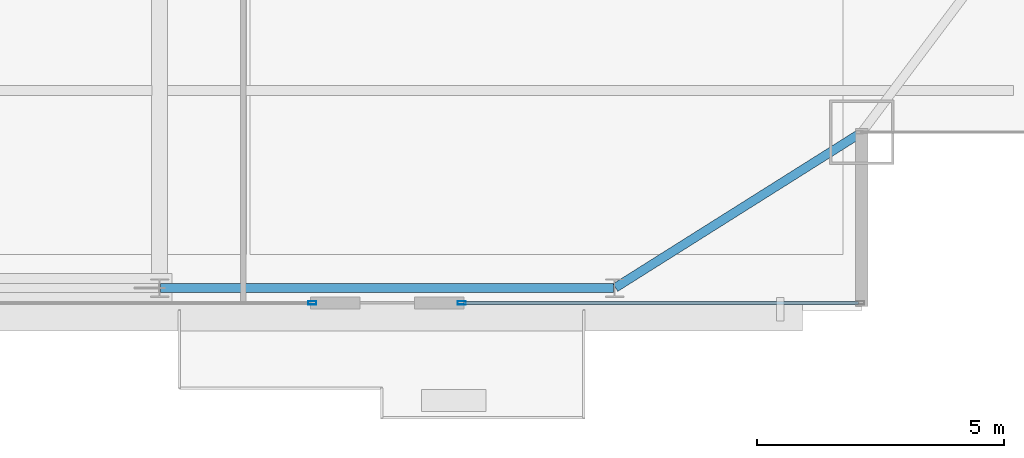
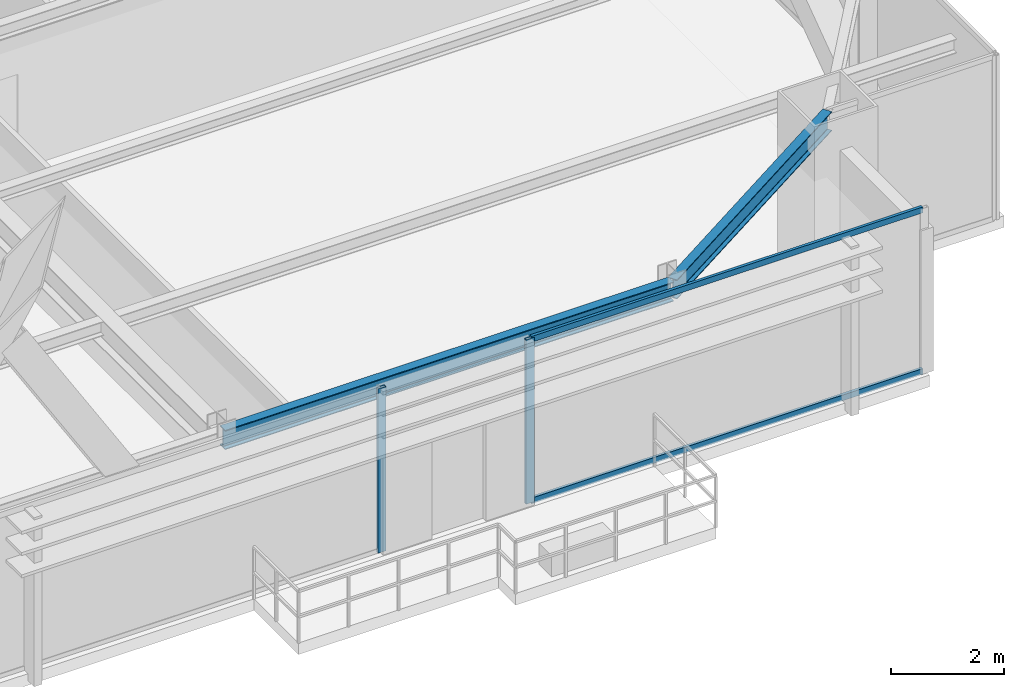
# One storey, part 14 of 34: 4 members, 2 beams, 2 elements without a shape of their own.
"""IFC4 building model written with IfcOpenShell, lengths in metres."""

from ifc_helpers import new_model, si_unit, direction, frame, origin, origin_2d, place, context, subcontext, project, spatial, hollow_rectangle, i_section, extrude, source, transform, mapped, material, layer, layer_set, material_profile, profile_set, type_object, type_shapes, element, aggregate, save


model = new_model("IFC4")

# Units and contexts
model_context = context("Model", 3, precision=1e-05, world=origin(), true_north=direction((0.0, 1.0)))
body_context = subcontext(model_context, "Body", "Model", "MODEL_VIEW")
ifc_project = project(units=[si_unit("LENGTHUNIT", "METRE"), si_unit("AREAUNIT", "SQUARE_METRE"), si_unit("VOLUMEUNIT", "CUBIC_METRE"), si_unit("PLANEANGLEUNIT", "RADIAN"), si_unit("MASSUNIT", "GRAM", prefix="KILO")], contexts=[model_context])

# Site, building, storey
site_placement = place(None, origin())
site = spatial("IfcSite", under=ifc_project, at=site_placement, CompositionType="ELEMENT")
building_placement = place(site_placement, origin())
building = spatial("IfcBuilding", under=site, at=building_placement, Name="Varnel Quay Broadcast Tower", CompositionType="ELEMENT")
storey_placement = place(building_placement, frame((0.0, 0.0, 176.199951171875)))
storey = spatial("IfcBuildingStorey", under=building, at=storey_placement, Name="L43", CompositionType="ELEMENT", Elevation=176.199951171875)

# Beams
ifc_material_1 = material(Name="Structural Steel CSA G40.21 350W", Category="steel")
ifc_material_profile_1 = material_profile(ifc_material_1, i_section(OverallWidth=0.180908203125, OverallDepth=0.4169921875, WebThickness=0.010986328125, FlangeThickness=0.018310546875, FilletRadius=0.011962890625, at=origin_2d()), Name="W410X85")
ifc_profile_set_1 = profile_set([ifc_material_profile_1], Name="Structural Steel CSA G40.21 350W")
beam_type = type_object("IfcBeamType", Name="Beam_W410X85", PredefinedType="SPANDREL", material=ifc_profile_set_1)
shared_shape_1 = source(origin(), body_context, "Body", "SweptSolid", [
    extrude(i_section(OverallWidth=0.180908203125, OverallDepth=0.4169921875, WebThickness=0.010986328125, FlangeThickness=0.018310546875, FilletRadius=0.011962890625, at=origin_2d()), origin(), (0.0, 0.0, 1.0), 9.159912109375),
])
beam_1_placement = place(storey_placement, frame((43.219970703125, 7.64990234375, 3.341552734375), z_axis=(1.0, 0.0, 0.0), x_axis=(0.0, 1.0, 0.0)))
element("IfcBeam", 1, at=beam_1_placement, inside=storey, type_object=beam_type, Name="L43 South Spandrel TC-S4-TC-S5", PredefinedType="SPANDREL", context=body_context, shape_type="MappedRepresentation", body=[
    mapped(shared_shape_1, transform((0.0, 0.0, 0.0), x_axis=(1.0, 0.0, 0.0), y_axis=(0.0, 1.0, 0.0), z_axis=(0.0, 0.0, 1.0), scale=1.0)),
])
shared_shape_2 = source(origin(), body_context, "Body", "SweptSolid", [
    extrude(i_section(OverallWidth=0.180908203125, OverallDepth=0.4169921875, WebThickness=0.010986328125, FlangeThickness=0.018310546875, FilletRadius=0.011962890625, at=origin_2d()), origin(), (0.0, 0.0, 1.0), 5.869384765625),
])
type_shapes(beam_type, [shared_shape_1, shared_shape_2])
beam_2_placement = place(storey_placement, frame((52.4169921875, 7.66064453125, 3.341552734375), z_axis=(0.846088328928, 0.533042718412, 0.0), x_axis=(-0.533042718412, 0.846088328928, 0.0)))
element("IfcBeam", 2, at=beam_2_placement, inside=storey, type_object=beam_type, Name="L43 South Spandrel TC-S5-MC-SE", PredefinedType="SPANDREL", context=body_context, shape_type="MappedRepresentation", body=[
    mapped(shared_shape_2, transform((0.0, 0.0, 0.0), x_axis=(1.0, 0.0, 0.0), y_axis=(0.0, 1.0, 0.0), z_axis=(0.0, 0.0, 1.0), scale=1.0)),
])

# Curtain wall, member
ifc_material_2 = material(Name="Anodised Bronze Aluminium 6063-T6", Category="aluminium")
ifc_layer = layer(ifc_material_2, 0.18994140625, Name="Anodised Bronze Aluminium 6063-T6")
ifc_layer_set = layer_set([ifc_layer], Name="Anodised Bronze Aluminium 6063-T6")
curtain_wall_type = type_object("IfcCurtainWallType", Name="CW_UpperTower", PredefinedType="NOTDEFINED", material=ifc_layer_set)
curtain_wall_1_placement = place(storey_placement, origin())
curtain_wall_1 = element("IfcCurtainWall", 3, at=curtain_wall_1_placement, inside=storey, type_object=curtain_wall_type, Name="L43 South Unitised Curtain Wall 2", PredefinedType="NOTDEFINED")
ifc_material_profile_2 = material_profile(ifc_material_2, hollow_rectangle(XDim=0.06494140625, YDim=0.1650390625, WallThickness=0.00341796875, at=origin_2d()), Name="ALU65X165X3.5")
ifc_profile_set_2 = profile_set([ifc_material_profile_2], Name="Anodised Bronze Aluminium 6063-T6")
member_type_1 = type_object("IfcMemberType", Name="Mull_CWS-03", PredefinedType="MULLION", material=ifc_profile_set_2)
shared_shape_3 = source(origin(), body_context, "Body", "SweptSolid", [
    extrude(hollow_rectangle(XDim=0.06494140625, YDim=0.1650390625, WallThickness=0.00341796875, at=origin_2d()), origin(), (0.0, 0.0, 1.0), 3.550048828125),
])
type_shapes(member_type_1, [shared_shape_3])
member_1_placement = place(storey_placement, frame((46.28759765625, 7.35009765625, 0.0), z_axis=(0.0, 0.0, 1.0), x_axis=(0.0, 1.0, 0.0)))
member_1 = element("IfcMember", 4, at=member_1_placement, type_object=member_type_1, Name="CWS-03 mullion 3", PredefinedType="MULLION", context=body_context, shape_type="MappedRepresentation", body=[
    mapped(shared_shape_3, transform((0.0, 0.0, 0.0), x_axis=(1.0, 0.0, 0.0), y_axis=(0.0, 1.0, 0.0), z_axis=(0.0, 0.0, 1.0), scale=1.0)),
])
aggregate(curtain_wall_1, [member_1])

# Curtain wall, members
curtain_wall_2_placement = place(storey_placement, origin())
curtain_wall_2 = element("IfcCurtainWall", 5, at=curtain_wall_2_placement, inside=storey, type_object=curtain_wall_type, Name="L43 South Unitised Curtain Wall 3", PredefinedType="NOTDEFINED")
member_2_placement = place(storey_placement, frame((49.3125, 7.35009765625, 0.0), z_axis=(0.0, 0.0, 1.0), x_axis=(0.0, 1.0, 0.0)))
member_2 = element("IfcMember", 6, at=member_2_placement, type_object=member_type_1, Name="CWS-03 mullion 1", PredefinedType="MULLION", context=body_context, shape_type="MappedRepresentation", body=[
    mapped(shared_shape_3, transform((0.0, 0.0, 0.0), x_axis=(1.0, 0.0, 0.0), y_axis=(0.0, 1.0, 0.0), z_axis=(0.0, 0.0, 1.0), scale=1.0)),
])
ifc_material_profile_3 = material_profile(ifc_material_2, hollow_rectangle(XDim=0.06005859375, YDim=0.125, WallThickness=0.0029296875, at=origin_2d()), Name="ALU60X125X3")
ifc_profile_set_3 = profile_set([ifc_material_profile_3], Name="Anodised Bronze Aluminium 6063-T6")
member_type_2 = type_object("IfcMemberType", Name="Tran_CWS-03", PredefinedType="USERDEFINED", material=ifc_profile_set_3)
shared_shape_4 = source(origin(), body_context, "Body", "SweptSolid", [
    extrude(hollow_rectangle(XDim=0.06005859375, YDim=0.125, WallThickness=0.0029296875, at=origin_2d()), origin(), (0.0, 0.0, 1.0), 7.989990234375),
])
type_shapes(member_type_2, [shared_shape_4])
member_3_placement = place(storey_placement, frame((49.344970703125, 7.35009765625, 0.030029296875), z_axis=(1.0, 0.0, 0.0), x_axis=(0.0, 1.0, 0.0)))
member_3 = element("IfcMember", 7, at=member_3_placement, type_object=member_type_2, Name="CWS-03 transom 1.1", ObjectType="TRANSOM", PredefinedType="USERDEFINED", context=body_context, shape_type="MappedRepresentation", body=[
    mapped(shared_shape_4, transform((0.0, 0.0, 0.0), x_axis=(1.0, 0.0, 0.0), y_axis=(0.0, 1.0, 0.0), z_axis=(0.0, 0.0, 1.0), scale=1.0)),
])
member_4_placement = place(storey_placement, frame((49.344970703125, 7.35009765625, 3.52001953125), z_axis=(1.0, 0.0, 0.0), x_axis=(0.0, 1.0, 0.0)))
member_4 = element("IfcMember", 8, at=member_4_placement, type_object=member_type_2, Name="CWS-03 transom 1.2", ObjectType="TRANSOM", PredefinedType="USERDEFINED", context=body_context, shape_type="MappedRepresentation", body=[
    mapped(shared_shape_4, transform((0.0, 0.0, 0.0), x_axis=(1.0, 0.0, 0.0), y_axis=(0.0, 1.0, 0.0), z_axis=(0.0, 0.0, 1.0), scale=1.0)),
])
aggregate(curtain_wall_2, [member_2, member_3, member_4])

save(model, "model.ifc")
